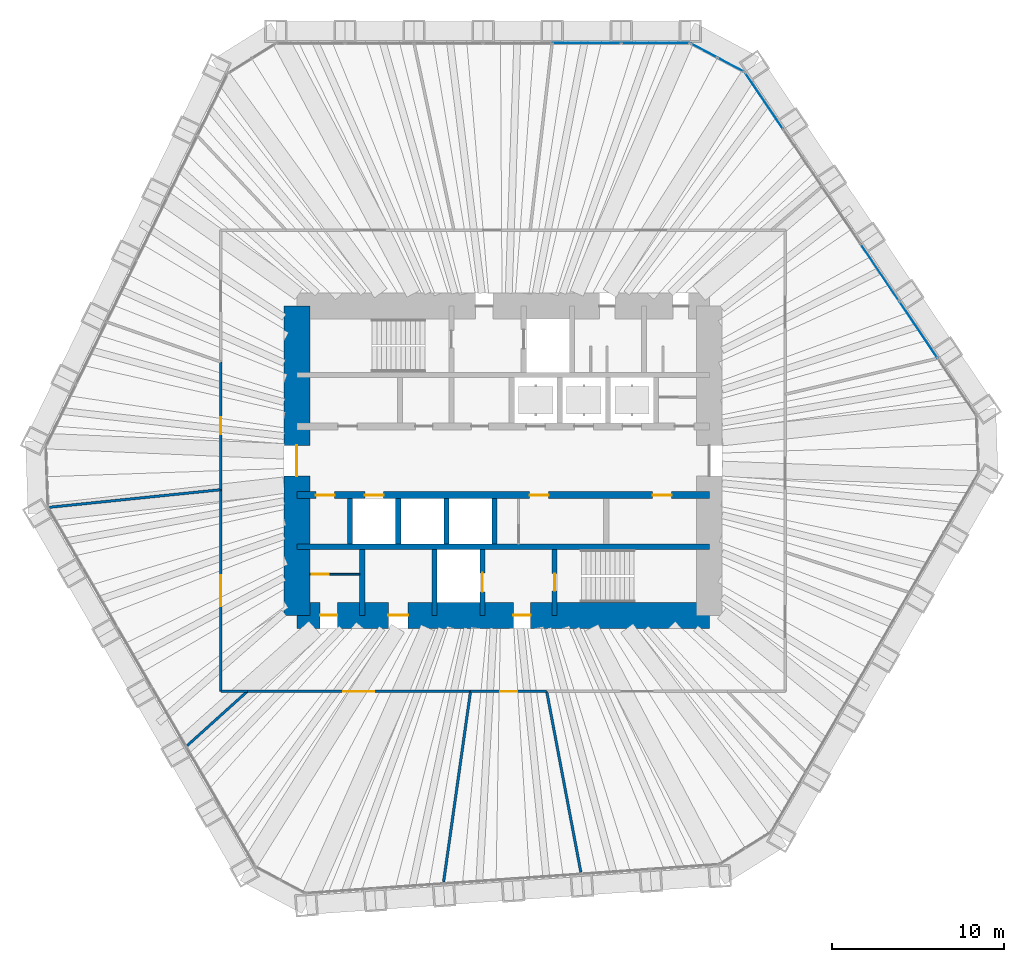
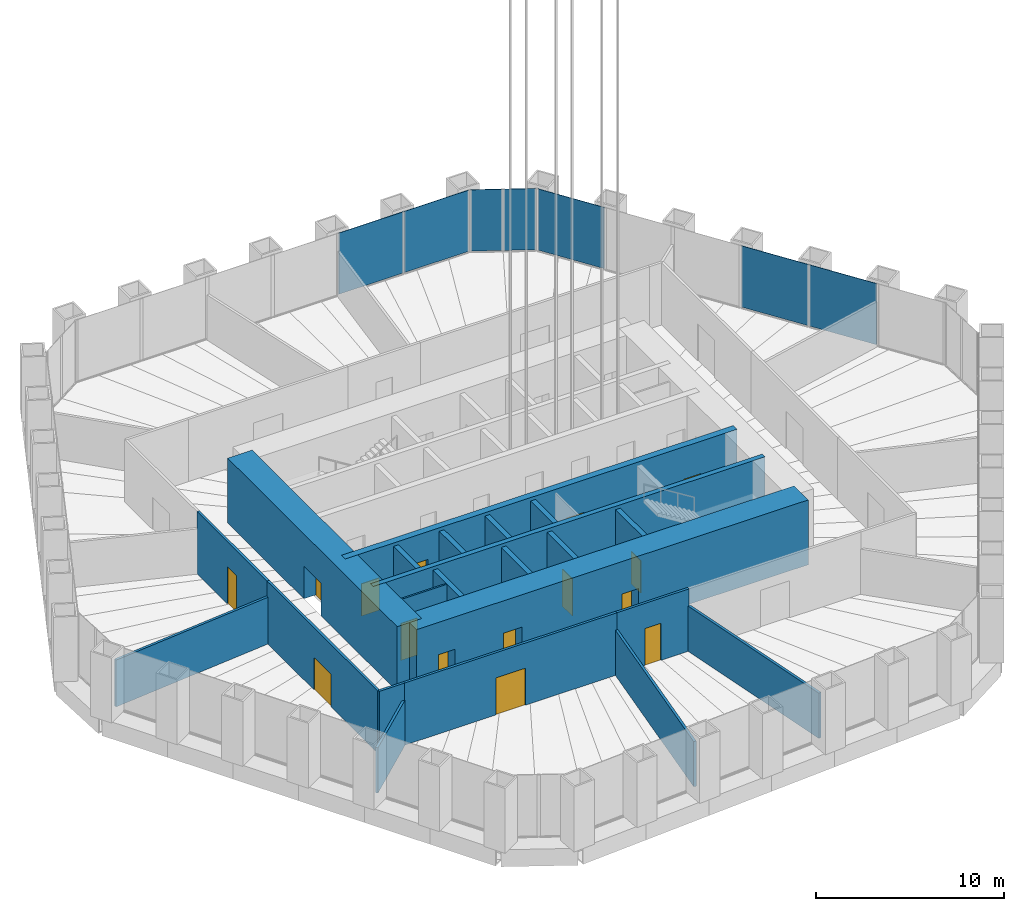
# One storey, part 10 of 20: 22 walls, 15 doors, 7 plates, 15 openings, 3 elements without a shape of their own.
"""IFC4 building model written with IfcOpenShell, lengths in metres."""

from ifc_helpers import new_model, si_unit, direction, frame, frame_2d, origin, origin_2d, place, context, subcontext, project, spatial, rectangle, extrude, material, layer, layer_set, type_object, element, fill, aggregate, save


model = new_model("IFC4")

# Units and contexts
model_context = context("Model", 3, precision=1e-05, world=origin(), true_north=direction((0.0, 1.0)))
body_context = subcontext(model_context, "Body", "Model", "MODEL_VIEW")
ifc_project = project(units=[si_unit("LENGTHUNIT", "METRE"), si_unit("AREAUNIT", "SQUARE_METRE"), si_unit("VOLUMEUNIT", "CUBIC_METRE"), si_unit("PLANEANGLEUNIT", "RADIAN"), si_unit("MASSUNIT", "GRAM", prefix="KILO")], contexts=[model_context])

# Site, building, storey
site_placement = place(None, origin())
site = spatial("IfcSite", under=ifc_project, at=site_placement, CompositionType="ELEMENT")
building_placement = place(site_placement, origin())
building = spatial("IfcBuilding", under=site, at=building_placement, Name="Qingtian Harvest Tower", CompositionType="ELEMENT")
storey_placement = place(building_placement, frame((0.0, 0.0, 103.0)))
storey = spatial("IfcBuildingStorey", under=building, at=storey_placement, Name="L20", CompositionType="ELEMENT", Elevation=103.0)

# Curtain wall, plates
ifc_material_1 = material(Name="Bronze-anodised aluminium curtain wall", Category="aluminium")
curtain_wall_type = type_object("IfcCurtainWallType", Name="Curtain wall CW3 sky lobby", PredefinedType="USERDEFINED", material=ifc_material_1)
curtain_wall_1_placement = place(storey_placement, origin())
curtain_wall_1 = element("IfcCurtainWall", 1, at=curtain_wall_1_placement, inside=storey, type_object=curtain_wall_type, Name="Curtain wall CW3 L20 N0-5", ObjectType="RECESSED CURTAIN WALL", PredefinedType="USERDEFINED")
ifc_material_2 = material(Name="Bronze-tinted laminated insulating glass", Category="glass")
ifc_layer_1 = layer(ifc_material_2, 0.030029296875)
ifc_layer_set_1 = layer_set([ifc_layer_1], Name="Glazed panel CWP tinted IGU")
plate_type = type_object("IfcPlateType", Name="Glazed panel CWP tinted IGU", PredefinedType="CURTAIN_PANEL", material=ifc_layer_set_1)
plate_1_placement = place(storey_placement, frame((4.864013671875, 24.300048828125, 0.06494140625), z_axis=(0.0, 0.0, 1.0), x_axis=(1.0, 0.0, 0.0)))
plate_1 = element("IfcPlate", 2, at=plate_1_placement, type_object=plate_type, Name="CW3 panel 5.1", PredefinedType="CURTAIN_PANEL", context=body_context, shape_type="SweptSolid", body=[
    extrude(rectangle(XDim=3.9541015625, YDim=0.030029296875, at=origin_2d()), origin(), (0.0, 0.0, 1.0), 3.965087890625),
])
plate_2_placement = place(storey_placement, frame((8.866943359375, 24.300048828125, 0.06494140625), z_axis=(0.0, 0.0, 1.0), x_axis=(1.0, 0.0, 0.0)))
plate_2 = element("IfcPlate", 3, at=plate_2_placement, type_object=plate_type, Name="CW3 panel 6.1", PredefinedType="CURTAIN_PANEL", context=body_context, shape_type="SweptSolid", body=[
    extrude(rectangle(XDim=3.921630859375, YDim=0.030029296875, at=origin_2d()), origin(), (0.0, 0.0, 1.0), 3.965087890625),
])
aggregate(curtain_wall_1, [plate_1, plate_2])

curtain_wall_2_placement = place(storey_placement, origin())
curtain_wall_2 = element("IfcCurtainWall", 4, at=curtain_wall_2_placement, inside=storey, type_object=curtain_wall_type, Name="Curtain wall CW3 L20 NC", ObjectType="RECESSED CURTAIN WALL", PredefinedType="USERDEFINED")
plate_3_placement = place(storey_placement, frame((11.697509765625, 23.8720703125, 0.06494140625), z_axis=(0.0, 0.0, 1.0), x_axis=(0.882947592859, -0.469471562786, 0.0)))
plate_3 = element("IfcPlate", 5, at=plate_3_placement, type_object=plate_type, Name="CW3 panel 1.1", PredefinedType="CURTAIN_PANEL", context=body_context, shape_type="SweptSolid", body=[
    extrude(rectangle(XDim=1.69287109375, YDim=0.030029296875, at=origin_2d()), origin(), (0.0, 0.0, 1.0), 3.965087890625),
])
plate_4_placement = place(storey_placement, frame((13.249755859375, 23.046875, 0.06494140625), z_axis=(0.0, 0.0, 1.0), x_axis=(0.882947592859, -0.469471562786, 0.0)))
plate_4 = element("IfcPlate", 6, at=plate_4_placement, type_object=plate_type, Name="CW3 panel 2.1", PredefinedType="CURTAIN_PANEL", context=body_context, shape_type="SweptSolid", body=[
    extrude(rectangle(XDim=1.69287109375, YDim=0.030029296875, at=origin_2d()), origin(), (0.0, 0.0, 1.0), 3.965087890625),
])
aggregate(curtain_wall_2, [plate_3, plate_4])

curtain_wall_3_placement = place(storey_placement, origin())
curtain_wall_3 = element("IfcCurtainWall", 7, at=curtain_wall_3_placement, inside=storey, type_object=curtain_wall_type, Name="Curtain wall CW3 L20 NE0-5", ObjectType="RECESSED CURTAIN WALL", PredefinedType="USERDEFINED")
plate_5_placement = place(storey_placement, frame((15.187255859375, 20.939453125, 0.06494140625), z_axis=(0.0, 0.0, 1.0), x_axis=(0.559192903471, -0.829037572555, 0.0)))
plate_5 = element("IfcPlate", 8, at=plate_5_placement, type_object=plate_type, Name="CW3 panel 1.1", PredefinedType="CURTAIN_PANEL", context=body_context, shape_type="SweptSolid", body=[
    extrude(rectangle(XDim=3.921630859375, YDim=0.030029296875, at=origin_2d()), origin(), (0.0, 0.0, 1.0), 3.965087890625),
])
plate_6_placement = place(storey_placement, frame((21.92041015625, 10.95703125, 0.06494140625), z_axis=(0.0, 0.0, 1.0), x_axis=(0.559192903471, -0.829037572555, 0.0)))
plate_6 = element("IfcPlate", 9, at=plate_6_placement, type_object=plate_type, Name="CW3 panel 4.1", PredefinedType="CURTAIN_PANEL", context=body_context, shape_type="SweptSolid", body=[
    extrude(rectangle(XDim=3.9541015625, YDim=0.030029296875, at=origin_2d()), origin(), (0.0, 0.0, 1.0), 3.965087890625),
])
plate_7_placement = place(storey_placement, frame((24.16796875, 7.625, 0.06494140625), z_axis=(0.0, 0.0, 1.0), x_axis=(0.559192903471, -0.829037572555, 0.0)))
plate_7 = element("IfcPlate", 10, at=plate_7_placement, type_object=plate_type, Name="CW3 panel 5.1", PredefinedType="CURTAIN_PANEL", context=body_context, shape_type="SweptSolid", body=[
    extrude(rectangle(XDim=3.9541015625, YDim=0.030029296875, at=origin_2d()), origin(), (0.0, 0.0, 1.0), 3.965087890625),
])
aggregate(curtain_wall_3, [plate_5, plate_6, plate_7])

# Wall
ifc_material_3 = material(Name="Concrete fc' 70 MPa", Category="concrete")
ifc_layer_2 = layer(ifc_material_3, 0.300048828125)
ifc_layer_set_2 = layer_set([ifc_layer_2], Name="Core inner wall RC5 300")
wall_type_1 = type_object("IfcWallType", Name="Core inner wall RC5 300", PredefinedType="SHEAR", material=ifc_layer_set_2)
wall_1_placement = place(storey_placement, frame((-12.0, -5.0, 0.0), z_axis=(0.0, 0.0, 1.0), x_axis=(1.0, 0.0, 0.0)))
element("IfcWall", 11, at=wall_1_placement, inside=storey, type_object=wall_type_1, Name="Core wall IS5 L20", PredefinedType="SHEAR", context=body_context, shape_type="SweptSolid", body=[
    extrude(rectangle(XDim=24.0, YDim=0.300048828125, at=frame_2d((12.0, 0.0))), origin(), (0.0, 0.0, 1.0), 4.199951171875),
])

# Wall, openings, doors
ifc_material_4 = material(Name="Concrete fc' 70 MPa", Category="concrete")
ifc_layer_3 = layer(ifc_material_4, 0.39990234375)
ifc_layer_set_3 = layer_set([ifc_layer_3], Name="Core inner web RC6 400")
wall_type_2 = type_object("IfcWallType", Name="Core inner web RC6 400", PredefinedType="SHEAR", material=ifc_layer_set_3)
wall_2_placement = place(storey_placement, frame((-12.0, -2.0, 0.0), z_axis=(0.0, 0.0, 1.0), x_axis=(1.0, 0.0, 0.0)))
wall_2 = element("IfcWall", 12, at=wall_2_placement, inside=storey, type_object=wall_type_2, Name="Core wall IS2 L20", PredefinedType="SHEAR", context=body_context, shape_type="SweptSolid", body=[
    extrude(rectangle(XDim=24.0, YDim=0.39990234375, at=frame_2d((12.0, 0.0))), origin(), (0.0, 0.0, 1.0), 4.199951171875),
])
opening_1_placement = place(wall_2_placement, frame((1.10009765625, 0.0, 0.0)))
opening_1 = element("IfcOpeningElement", 13, at=opening_1_placement, cuts=wall_2, Name="Opening FD4", PredefinedType="OPENING", context=body_context, shape_type="SweptSolid", body=[
    extrude(rectangle(XDim=1.10009765625, YDim=2.10009765625, at=frame_2d((0.550048828125, 1.050048828125))), frame((0.0, 0.2099609375, 0.0), z_axis=(0.0, -1.0, 0.0), x_axis=(1.0, 0.0, 0.0)), (0.0, 0.0, 1.0), 0.419921875),
])
opening_2_placement = place(wall_2_placement, frame((13.550048828125, 0.0, 0.0)))
opening_2 = element("IfcOpeningElement", 14, at=opening_2_placement, cuts=wall_2, Name="Opening FD4", PredefinedType="OPENING", context=body_context, shape_type="SweptSolid", body=[
    extrude(rectangle(XDim=1.10009765625, YDim=2.10009765625, at=frame_2d((0.550048828125, 1.050048828125))), frame((0.0, 0.2099609375, 0.0), z_axis=(0.0, -1.0, 0.0), x_axis=(1.0, 0.0, 0.0)), (0.0, 0.0, 1.0), 0.419921875),
])
opening_3_placement = place(wall_2_placement, frame((20.699951171875, 0.0, 0.0)))
opening_3 = element("IfcOpeningElement", 15, at=opening_3_placement, cuts=wall_2, Name="Opening FD4", PredefinedType="OPENING", context=body_context, shape_type="SweptSolid", body=[
    extrude(rectangle(XDim=1.10009765625, YDim=2.10009765625, at=frame_2d((0.550048828125, 1.050048828125))), frame((0.0, 0.2099609375, 0.0), z_axis=(0.0, -1.0, 0.0), x_axis=(1.0, 0.0, 0.0)), (0.0, 0.0, 1.0), 0.419921875),
])
opening_4_placement = place(wall_2_placement, frame((3.949951171875, 0.0, 0.0)))
opening_4 = element("IfcOpeningElement", 16, at=opening_4_placement, cuts=wall_2, Name="Opening LD1", PredefinedType="OPENING", context=body_context, shape_type="SweptSolid", body=[
    extrude(rectangle(XDim=1.10009765625, YDim=2.39990234375, at=frame_2d((0.550048828125, 1.199951171875))), frame((0.0, 0.2099609375, 0.0), z_axis=(0.0, -1.0, 0.0), x_axis=(1.0, 0.0, 0.0)), (0.0, 0.0, 1.0), 0.419921875),
])
ifc_material_5 = material(Name="Steel-faced door leaf", Category="steel")
door_type_1 = type_object("IfcDoorType", Name="Fire door FD4 single 2 HR", OperationType="SINGLE_SWING_LEFT", PredefinedType="DOOR", material=ifc_material_5)
door_1_placement = place(opening_1_placement, origin())
door_1 = element("IfcDoor", 17, at=door_1_placement, inside=storey, type_object=door_type_1, Name="RB door L20", OperationType="SINGLE_SWING_LEFT", OverallHeight=2.10009765625, OverallWidth=1.10009765625, PredefinedType="DOOR", context=body_context, shape_type="SweptSolid", body=[
    extrude(rectangle(XDim=1.10009765625, YDim=2.10009765625, at=frame_2d((0.550048828125, 1.050048828125))), frame((0.0, 0.02490234375, 0.0), z_axis=(0.0, -1.0, 0.0), x_axis=(1.0, 0.0, 0.0)), (0.0, 0.0, 1.0), 0.050048828125),
])
fill(opening_1, door_1)
door_2_placement = place(opening_2_placement, origin())
door_2 = element("IfcDoor", 18, at=door_2_placement, inside=storey, type_object=door_type_1, Name="ELEC door L20", OperationType="SINGLE_SWING_RIGHT", OverallHeight=2.10009765625, OverallWidth=1.10009765625, PredefinedType="DOOR", context=body_context, shape_type="SweptSolid", body=[
    extrude(rectangle(XDim=1.10009765625, YDim=2.10009765625, at=frame_2d((0.550048828125, 1.050048828125))), frame((0.0, 0.02490234375, 0.0), z_axis=(0.0, -1.0, 0.0), x_axis=(1.0, 0.0, 0.0)), (0.0, 0.0, 1.0), 0.050048828125),
])
fill(opening_2, door_2)
door_3_placement = place(opening_3_placement, origin())
door_3 = element("IfcDoor", 19, at=door_3_placement, inside=storey, type_object=door_type_1, Name="DUCT door L20", OperationType="SINGLE_SWING_LEFT", OverallHeight=2.10009765625, OverallWidth=1.10009765625, PredefinedType="DOOR", context=body_context, shape_type="SweptSolid", body=[
    extrude(rectangle(XDim=1.10009765625, YDim=2.10009765625, at=frame_2d((0.550048828125, 1.050048828125))), frame((0.0, 0.02490234375, 0.0), z_axis=(0.0, -1.0, 0.0), x_axis=(1.0, 0.0, 0.0)), (0.0, 0.0, 1.0), 0.050048828125),
])
fill(opening_3, door_3)
ifc_material_6 = material(Name="Stainless steel lift landing door", Category="steel")
door_type_2 = type_object("IfcDoorType", Name="Lift landing door LD1 1 HR", OperationType="DOUBLE_DOOR_SLIDING", PredefinedType="DOOR", material=ifc_material_6)
door_4_placement = place(opening_4_placement, origin())
door_4 = element("IfcDoor", 20, at=door_4_placement, inside=storey, type_object=door_type_2, Name="SH1 landing door L20", OperationType="DOUBLE_DOOR_SLIDING", OverallHeight=2.39990234375, OverallWidth=1.10009765625, PredefinedType="DOOR", context=body_context, shape_type="SweptSolid", body=[
    extrude(rectangle(XDim=1.10009765625, YDim=2.39990234375, at=frame_2d((0.550048828125, 1.199951171875))), frame((0.0, 0.02490234375, 0.0), z_axis=(0.0, -1.0, 0.0), x_axis=(1.0, 0.0, 0.0)), (0.0, 0.0, 1.0), 0.050048828125),
])
fill(opening_4, door_4)

# Walls
ifc_material_7 = material(Name="Precast concrete shaft panel", Category="concrete")
ifc_layer_4 = layer(ifc_material_7, 0.300048828125)
ifc_layer_set_4 = layer_set([ifc_layer_4], Name="Core shaft partition SW1 300")
wall_type_3 = type_object("IfcWallType", Name="Core shaft partition SW1 300", PredefinedType="PARTITIONING", material=ifc_layer_set_4)
for number, where, z_axis, x_axis, name in (
    (21, (-8.89990234375, -4.85009765625, 0.0), (0.0, 0.0, 1.0), (0.0, 1.0, 0.0), "Core shaft partition XB1 L20"),
    (22, (-6.10009765625, -4.85009765625, 0.0), (0.0, 0.0, 1.0), (0.0, 1.0, 0.0), "Core shaft partition XB2 L20"),
    (23, (-3.300048828125, -4.85009765625, 0.0), (0.0, 0.0, 1.0), (0.0, 1.0, 0.0), "Core shaft partition XB3 L20"),
    (24, (-0.5, -4.85009765625, 0.0), (0.0, 0.0, 1.0), (0.0, 1.0, 0.0), "Core shaft partition XB4 L20"),
):
    element("IfcWall", number, at=place(storey_placement, frame(where, z_axis=z_axis, x_axis=x_axis)), inside=storey, type_object=wall_type_3, Name=name, PredefinedType="PARTITIONING", context=body_context, shape_type="SweptSolid", body=[
        extrude(rectangle(XDim=2.650146484375, YDim=0.300048828125, at=frame_2d((1.3251953125, 0.0))), origin(), (0.0, 0.0, 1.0), 3.97998046875),
    ])
for number, where, z_axis, x_axis, name in (
    (25, (-8.199951171875, -9.0, 0.0), (0.0, 0.0, 1.0), (0.0, 1.0, 0.0), "Core shaft partition XS1 L20"),
    (26, (-4.0, -9.0, 0.0), (0.0, 0.0, 1.0), (0.0, 1.0, 0.0), "Core shaft partition XS2 L20"),
):
    element("IfcWall", number, at=place(storey_placement, frame(where, z_axis=z_axis, x_axis=x_axis)), inside=storey, type_object=wall_type_3, Name=name, PredefinedType="PARTITIONING", context=body_context, shape_type="SweptSolid", body=[
        extrude(rectangle(XDim=3.85009765625, YDim=0.300048828125, at=frame_2d((1.925048828125, 0.0))), origin(), (0.0, 0.0, 1.0), 3.97998046875),
    ])

# Wall, opening, door
wall_3_placement = place(storey_placement, frame((-1.199951171875, -9.0, 0.0), z_axis=(0.0, 0.0, 1.0), x_axis=(0.0, 1.0, 0.0)))
wall_3 = element("IfcWall", 27, at=wall_3_placement, inside=storey, type_object=wall_type_3, Name="Core shaft partition XS3 L20", PredefinedType="PARTITIONING", context=body_context, shape_type="SweptSolid", body=[
    extrude(rectangle(XDim=3.85009765625, YDim=0.300048828125, at=frame_2d((1.925048828125, 0.0))), origin(), (0.0, 0.0, 1.0), 3.97998046875),
])
opening_5_placement = place(wall_3_placement, frame((1.375, 0.0, 0.0)))
opening_5 = element("IfcOpeningElement", 28, at=opening_5_placement, cuts=wall_3, Name="Opening LD1", PredefinedType="OPENING", context=body_context, shape_type="SweptSolid", body=[
    extrude(rectangle(XDim=1.10009765625, YDim=2.39990234375, at=frame_2d((0.550048828125, 1.199951171875))), frame((0.0, 0.159912109375, 0.0), z_axis=(0.0, -1.0, 0.0), x_axis=(1.0, 0.0, 0.0)), (0.0, 0.0, 1.0), 0.320068359375),
])
door_5_placement = place(opening_5_placement, origin())
door_5 = element("IfcDoor", 29, at=door_5_placement, inside=storey, type_object=door_type_2, Name="FL2 landing door L20", OperationType="DOUBLE_DOOR_SLIDING", OverallHeight=2.39990234375, OverallWidth=1.10009765625, PredefinedType="DOOR", context=body_context, shape_type="SweptSolid", body=[
    extrude(rectangle(XDim=1.10009765625, YDim=2.39990234375, at=frame_2d((0.550048828125, 1.199951171875))), frame((0.0, 0.02490234375, 0.0), z_axis=(0.0, -1.0, 0.0), x_axis=(1.0, 0.0, 0.0)), (0.0, 0.0, 1.0), 0.050048828125),
])
fill(opening_5, door_5)

wall_4_placement = place(storey_placement, frame((3.0, -9.0, 0.0), z_axis=(0.0, 0.0, 1.0), x_axis=(0.0, 1.0, 0.0)))
wall_4 = element("IfcWall", 30, at=wall_4_placement, inside=storey, type_object=wall_type_3, Name="Core shaft partition XS4 L20", PredefinedType="PARTITIONING", context=body_context, shape_type="SweptSolid", body=[
    extrude(rectangle(XDim=3.85009765625, YDim=0.300048828125, at=frame_2d((1.925048828125, 0.0))), origin(), (0.0, 0.0, 1.0), 3.97998046875),
])
opening_6_placement = place(wall_4_placement, frame((1.425048828125, 0.0, 0.0)))
opening_6 = element("IfcOpeningElement", 31, at=opening_6_placement, cuts=wall_4, Name="Opening FD1", PredefinedType="OPENING", context=body_context, shape_type="SweptSolid", body=[
    extrude(rectangle(XDim=1.0, YDim=2.10009765625, at=frame_2d((0.5, 1.050048828125))), frame((0.0, 0.159912109375, 0.0), z_axis=(0.0, -1.0, 0.0), x_axis=(1.0, 0.0, 0.0)), (0.0, 0.0, 1.0), 0.320068359375),
])
ifc_material_8 = material(Name="Steel-faced door leaf", Category="steel")
door_type_3 = type_object("IfcDoorType", Name="Fire door FD1 single 1 HR", OperationType="SINGLE_SWING_LEFT", PredefinedType="DOOR", material=ifc_material_8)
door_6_placement = place(opening_6_placement, origin())
door_6 = element("IfcDoor", 32, at=door_6_placement, inside=storey, type_object=door_type_3, Name="S2 door L20", OperationType="SINGLE_SWING_LEFT", OverallHeight=2.10009765625, OverallWidth=1.0, PredefinedType="DOOR", context=body_context, shape_type="SweptSolid", body=[
    extrude(rectangle(XDim=1.0, YDim=2.10009765625, at=frame_2d((0.5, 1.050048828125))), frame((0.0, 0.02490234375, 0.0), z_axis=(0.0, -1.0, 0.0), x_axis=(1.0, 0.0, 0.0)), (0.0, 0.0, 1.0), 0.050048828125),
])
fill(opening_6, door_6)

# Wall, openings, doors
ifc_material_9 = material(Name="Concrete fc' 70 MPa", Category="concrete")
ifc_layer_5 = layer(ifc_material_9, 1.5)
ifc_layer_set_5 = layer_set([ifc_layer_5], Name="Core wall RC1 1500")
wall_type_4 = type_object("IfcWallType", Name="Core wall RC1 1500", PredefinedType="SHEAR", material=ifc_layer_set_5)
wall_5_placement = place(storey_placement, frame((-12.0, -9.0, 0.0), z_axis=(0.0, 0.0, 1.0), x_axis=(1.0, 0.0, 0.0)))
wall_5 = element("IfcWall", 33, at=wall_5_placement, inside=storey, type_object=wall_type_4, Name="Core wall CS L20", PredefinedType="SHEAR", context=body_context, shape_type="SweptSolid", body=[
    extrude(rectangle(XDim=24.0, YDim=1.5, at=frame_2d((12.0, 0.0))), origin(), (0.0, 0.0, 1.0), 4.199951171875),
])
opening_7_placement = place(wall_5_placement, frame((1.35009765625, 0.0, 0.0)))
opening_7 = element("IfcOpeningElement", 34, at=opening_7_placement, cuts=wall_5, Name="Opening FD1", PredefinedType="OPENING", context=body_context, shape_type="SweptSolid", body=[
    extrude(rectangle(XDim=1.0, YDim=2.10009765625, at=frame_2d((0.5, 1.050048828125))), frame((0.0, 0.760009765625, 0.0), z_axis=(0.0, -1.0, 0.0), x_axis=(1.0, 0.0, 0.0)), (0.0, 0.0, 1.0), 1.52001953125),
])
opening_8_placement = place(wall_5_placement, frame((5.324951171875, 0.0, 0.0)))
opening_8 = element("IfcOpeningElement", 35, at=opening_8_placement, cuts=wall_5, Name="Opening AD1", PredefinedType="OPENING", context=body_context, shape_type="SweptSolid", body=[
    extrude(rectangle(XDim=1.14990234375, YDim=2.10009765625, at=frame_2d((0.574951171875, 1.050048828125))), frame((0.0, 0.760009765625, 0.0), z_axis=(0.0, -1.0, 0.0), x_axis=(1.0, 0.0, 0.0)), (0.0, 0.0, 1.0), 1.52001953125),
])
opening_9_placement = place(wall_5_placement, frame((12.60009765625, 0.0, 0.0)))
opening_9 = element("IfcOpeningElement", 36, at=opening_9_placement, cuts=wall_5, Name="Opening FD1", PredefinedType="OPENING", context=body_context, shape_type="SweptSolid", body=[
    extrude(rectangle(XDim=1.0, YDim=2.10009765625, at=frame_2d((0.5, 1.050048828125))), frame((0.0, 0.760009765625, 0.0), z_axis=(0.0, -1.0, 0.0), x_axis=(1.0, 0.0, 0.0)), (0.0, 0.0, 1.0), 1.52001953125),
])
ifc_material_10 = material(Name="Laminated timber door leaf", Category="wood")
door_type_4 = type_object("IfcDoorType", Name="Accessible WC door AD1 single", OperationType="SINGLE_SWING_LEFT", PredefinedType="DOOR", material=ifc_material_10)
door_7_placement = place(opening_8_placement, origin())
door_7 = element("IfcDoor", 37, at=door_7_placement, inside=storey, type_object=door_type_4, Name="AWC door L20", OperationType="SINGLE_SWING_LEFT", OverallHeight=2.10009765625, OverallWidth=1.14990234375, PredefinedType="DOOR", context=body_context, shape_type="SweptSolid", body=[
    extrude(rectangle(XDim=1.14990234375, YDim=2.10009765625, at=frame_2d((0.574951171875, 1.050048828125))), frame((0.0, 0.02490234375, 0.0), z_axis=(0.0, -1.0, 0.0), x_axis=(1.0, 0.0, 0.0)), (0.0, 0.0, 1.0), 0.050048828125),
])
fill(opening_8, door_7)
door_8_placement = place(opening_7_placement, origin())
door_8 = element("IfcDoor", 38, at=door_8_placement, inside=storey, type_object=door_type_3, Name="CLN door L20", OperationType="SINGLE_SWING_RIGHT", OverallHeight=2.10009765625, OverallWidth=1.0, PredefinedType="DOOR", context=body_context, shape_type="SweptSolid", body=[
    extrude(rectangle(XDim=1.0, YDim=2.10009765625, at=frame_2d((0.5, 1.050048828125))), frame((0.0, 0.02490234375, 0.0), z_axis=(0.0, -1.0, 0.0), x_axis=(1.0, 0.0, 0.0)), (0.0, 0.0, 1.0), 0.050048828125),
])
fill(opening_7, door_8)
door_9_placement = place(opening_9_placement, origin())
door_9 = element("IfcDoor", 39, at=door_9_placement, inside=storey, type_object=door_type_3, Name="V2 door L20", OperationType="SINGLE_SWING_RIGHT", OverallHeight=2.10009765625, OverallWidth=1.0, PredefinedType="DOOR", context=body_context, shape_type="SweptSolid", body=[
    extrude(rectangle(XDim=1.0, YDim=2.10009765625, at=frame_2d((0.5, 1.050048828125))), frame((0.0, 0.02490234375, 0.0), z_axis=(0.0, -1.0, 0.0), x_axis=(1.0, 0.0, 0.0)), (0.0, 0.0, 1.0), 0.050048828125),
])
fill(opening_9, door_9)

# Wall, opening, door
wall_6_placement = place(storey_placement, frame((-12.0, -9.0, 0.0), z_axis=(0.0, 0.0, 1.0), x_axis=(0.0, 1.0, 0.0)))
wall_6 = element("IfcWall", 40, at=wall_6_placement, inside=storey, type_object=wall_type_4, Name="Core wall CW L20", PredefinedType="SHEAR", context=body_context, shape_type="SweptSolid", body=[
    extrude(rectangle(XDim=18.0, YDim=1.5, at=frame_2d((9.0, 0.0))), origin(), (0.0, 0.0, 1.0), 4.199951171875),
])
opening_10_placement = place(wall_6_placement, frame((8.10009765625, 0.0, 0.0)))
opening_10 = element("IfcOpeningElement", 41, at=opening_10_placement, cuts=wall_6, Name="Opening FD2", PredefinedType="OPENING", context=body_context, shape_type="SweptSolid", body=[
    extrude(rectangle(XDim=1.800048828125, YDim=2.10009765625, at=frame_2d((0.89990234375, 1.050048828125))), frame((0.0, 0.760009765625, 0.0), z_axis=(0.0, -1.0, 0.0), x_axis=(1.0, 0.0, 0.0)), (0.0, 0.0, 1.0), 1.52001953125),
])
ifc_material_11 = material(Name="Steel-faced door leaf", Category="steel")
door_type_5 = type_object("IfcDoorType", Name="Fire door FD2 double 1 HR", OperationType="DOUBLE_DOOR_DOUBLE_SWING", PredefinedType="DOOR", material=ifc_material_11)
door_10_placement = place(opening_10_placement, origin())
door_10 = element("IfcDoor", 42, at=door_10_placement, inside=storey, type_object=door_type_5, Name="LOBBY-W door L20", OperationType="DOUBLE_DOOR_DOUBLE_SWING", OverallHeight=2.10009765625, OverallWidth=1.800048828125, PredefinedType="DOOR", context=body_context, shape_type="SweptSolid", body=[
    extrude(rectangle(XDim=1.800048828125, YDim=2.10009765625, at=frame_2d((0.89990234375, 1.050048828125))), frame((0.0, 0.02490234375, 0.0), z_axis=(0.0, -1.0, 0.0), x_axis=(1.0, 0.0, 0.0)), (0.0, 0.0, 1.0), 0.050048828125),
])
fill(opening_10, door_10)

# Walls
ifc_material_12 = material(Name="Fire-rated gypsum board on steel studs", Category="steel")
ifc_layer_6 = layer(ifc_material_12, 0.14990234375)
ifc_layer_set_6 = layer_set([ifc_layer_6], Name="Fire partition FW3 150 1 HR")
wall_type_5 = type_object("IfcWallType", Name="Fire partition FW3 150 1 HR", PredefinedType="PARTITIONING", material=ifc_layer_set_6)
wall_7_placement = place(storey_placement, frame((-18.37841796875, -16.572021484375, 0.0), z_axis=(0.0, 0.0, 1.0), x_axis=(0.742684208647, 0.669641819353, 0.0)))
element("IfcWall", 43, at=wall_7_placement, inside=storey, type_object=wall_type_5, Name="Sky lobby lounge wall L20", PredefinedType="PARTITIONING", context=body_context, shape_type="SweptSolid", body=[
    extrude(rectangle(XDim=4.699462890625, YDim=0.14990234375, at=frame_2d((2.349609375, 0.0))), origin(), (0.0, 0.0, 1.0), 2.929931640625),
])
wall_8_placement = place(storey_placement, frame((-14.88818359375, -13.425048828125, 0.0), z_axis=(0.0, 0.0, 1.0), x_axis=(-1.0, 0.0, 0.0)))
element("IfcWall", 44, at=wall_8_placement, inside=storey, type_object=wall_type_5, Name="Sky lobby lounge wall L20", PredefinedType="PARTITIONING", context=body_context, shape_type="SweptSolid", body=[
    extrude(rectangle(XDim=1.536865234375, YDim=0.14990234375, at=frame_2d((0.7685546875, 0.0))), origin(), (0.0, 0.0, 1.0), 4.030029296875),
])

# Wall, opening, door
wall_9_placement = place(storey_placement, frame((-16.425048828125, -13.425048828125, 0.0), z_axis=(0.0, 0.0, 1.0), x_axis=(0.0, 1.0, 0.0)))
wall_9 = element("IfcWall", 45, at=wall_9_placement, inside=storey, type_object=wall_type_5, Name="Sky lobby lounge wall L20", PredefinedType="PARTITIONING", context=body_context, shape_type="SweptSolid", body=[
    extrude(rectangle(XDim=11.74072265625, YDim=0.14990234375, at=frame_2d((5.870361328125, 0.0))), origin(), (0.0, 0.0, 1.0), 4.030029296875),
])
opening_11_placement = place(wall_9_placement, frame((4.97021484375, 0.0, 0.0)))
opening_11 = element("IfcOpeningElement", 46, at=opening_11_placement, cuts=wall_9, Name="Opening FD2", PredefinedType="OPENING", context=body_context, shape_type="SweptSolid", body=[
    extrude(rectangle(XDim=1.800048828125, YDim=2.10009765625, at=frame_2d((0.89990234375, 1.050048828125))), frame((0.0, 0.0849609375, 0.0), z_axis=(0.0, -1.0, 0.0), x_axis=(1.0, 0.0, 0.0)), (0.0, 0.0, 1.0), 0.169921875),
])
door_11_placement = place(opening_11_placement, origin())
door_11 = element("IfcDoor", 47, at=door_11_placement, inside=storey, type_object=door_type_5, Name="Sky lobby lounge door L20", OperationType="DOUBLE_DOOR_DOUBLE_SWING", OverallHeight=2.10009765625, OverallWidth=1.800048828125, PredefinedType="DOOR", context=body_context, shape_type="SweptSolid", body=[
    extrude(rectangle(XDim=1.800048828125, YDim=2.10009765625, at=frame_2d((0.89990234375, 1.050048828125))), frame((0.0, 0.02490234375, 0.0), z_axis=(0.0, -1.0, 0.0), x_axis=(1.0, 0.0, 0.0)), (0.0, 0.0, 1.0), 0.050048828125),
])
fill(opening_11, door_11)

# Walls
wall_10_placement = place(storey_placement, frame((-26.391357421875, -2.706298828125, 0.0), z_axis=(0.0, 0.0, 1.0), x_axis=(0.99478359464, 0.102007842025, 0.0)))
element("IfcWall", 48, at=wall_10_placement, inside=storey, type_object=wall_type_5, Name="Concierge office wall L20", PredefinedType="PARTITIONING", context=body_context, shape_type="SweptSolid", body=[
    extrude(rectangle(XDim=10.0185546875, YDim=0.14990234375, at=frame_2d((5.00927734375, 0.0))), origin(), (0.0, 0.0, 1.0), 3.030029296875),
])
ifc_material_13 = material(Name="Gypsum board on steel studs", Category="steel")
ifc_layer_7 = layer(ifc_material_13, 0.14990234375)
ifc_layer_set_7 = layer_set([ifc_layer_7], Name="Partition PT1 150")
wall_type_6 = type_object("IfcWallType", Name="Partition PT1 150", PredefinedType="PARTITIONING", material=ifc_layer_set_7)
wall_11_placement = place(storey_placement, frame((4.524169921875, -23.943359375, 0.0), z_axis=(0.0, 0.0, 1.0), x_axis=(-0.185675041542, 0.982611204367, 0.0)))
element("IfcWall", 49, at=wall_11_placement, inside=storey, type_object=wall_type_6, Name="Print room wall L20", PredefinedType="PARTITIONING", context=body_context, shape_type="SweptSolid", body=[
    extrude(rectangle(XDim=10.704345703125, YDim=0.14990234375, at=frame_2d((5.35205078125, 0.0))), origin(), (0.0, 0.0, 1.0), 2.929931640625),
])

# Wall, opening, door
wall_12_placement = place(storey_placement, frame((2.53662109375, -13.425048828125, 0.0), z_axis=(0.0, 0.0, 1.0), x_axis=(-1.0, 0.0, 0.0)))
wall_12 = element("IfcWall", 50, at=wall_12_placement, inside=storey, type_object=wall_type_6, Name="Print room wall L20", PredefinedType="PARTITIONING", context=body_context, shape_type="SweptSolid", body=[
    extrude(rectangle(XDim=4.433349609375, YDim=0.14990234375, at=frame_2d((2.216796875, 0.0))), origin(), (0.0, 0.0, 1.0), 4.030029296875),
])
opening_12_placement = place(wall_12_placement, frame((1.716796875, 0.0, 0.0)))
opening_12 = element("IfcOpeningElement", 51, at=opening_12_placement, cuts=wall_12, Name="Opening D2", PredefinedType="OPENING", context=body_context, shape_type="SweptSolid", body=[
    extrude(rectangle(XDim=1.0, YDim=2.39990234375, at=frame_2d((0.5, 1.199951171875))), frame((0.0, 0.0849609375, 0.0), z_axis=(0.0, -1.0, 0.0), x_axis=(1.0, 0.0, 0.0)), (0.0, 0.0, 1.0), 0.169921875),
])
ifc_material_14 = material(Name="Laminated timber door leaf", Category="wood")
door_type_6 = type_object("IfcDoorType", Name="Room door D2 single", OperationType="SINGLE_SWING_LEFT", PredefinedType="DOOR", material=ifc_material_14)
door_12_placement = place(opening_12_placement, origin())
door_12 = element("IfcDoor", 52, at=door_12_placement, inside=storey, type_object=door_type_6, Name="Print room door L20", OperationType="SINGLE_SWING_RIGHT", OverallHeight=2.39990234375, OverallWidth=1.0, PredefinedType="DOOR", context=body_context, shape_type="SweptSolid", body=[
    extrude(rectangle(XDim=1.0, YDim=2.39990234375, at=frame_2d((0.5, 1.199951171875))), frame((0.0, 0.02490234375, 0.0), z_axis=(0.0, -1.0, 0.0), x_axis=(1.0, 0.0, 0.0)), (0.0, 0.0, 1.0), 0.050048828125),
])
fill(opening_12, door_12)

# Wall
wall_13_placement = place(storey_placement, frame((-3.4619140625, -24.50341796875, 0.0), z_axis=(0.0, 0.0, 1.0), x_axis=(0.139893725594, 0.990166524146, 0.0)))
element("IfcWall", 53, at=wall_13_placement, inside=storey, type_object=wall_type_6, Name="Training room wall L20", PredefinedType="PARTITIONING", context=body_context, shape_type="SweptSolid", body=[
    extrude(rectangle(XDim=11.1884765625, YDim=0.14990234375, at=frame_2d((5.59423828125, 0.0))), origin(), (0.0, 0.0, 1.0), 2.929931640625),
])

# Wall, opening, door
wall_14_placement = place(storey_placement, frame((-1.896728515625, -13.425048828125, 0.0), z_axis=(0.0, 0.0, 1.0), x_axis=(-1.0, 0.0, 0.0)))
wall_14 = element("IfcWall", 54, at=wall_14_placement, inside=storey, type_object=wall_type_6, Name="Training room wall L20", PredefinedType="PARTITIONING", context=body_context, shape_type="SweptSolid", body=[
    extrude(rectangle(XDim=12.991455078125, YDim=0.14990234375, at=frame_2d((6.49560546875, 0.0))), origin(), (0.0, 0.0, 1.0), 4.030029296875),
])
opening_13_placement = place(wall_14_placement, frame((5.595703125, 0.0, 0.0)))
opening_13 = element("IfcOpeningElement", 55, at=opening_13_placement, cuts=wall_14, Name="Opening D3", PredefinedType="OPENING", context=body_context, shape_type="SweptSolid", body=[
    extrude(rectangle(XDim=1.800048828125, YDim=2.39990234375, at=frame_2d((0.89990234375, 1.199951171875))), frame((0.0, 0.0849609375, 0.0), z_axis=(0.0, -1.0, 0.0), x_axis=(1.0, 0.0, 0.0)), (0.0, 0.0, 1.0), 0.169921875),
])
ifc_material_15 = material(Name="Laminated timber door leaf", Category="wood")
door_type_7 = type_object("IfcDoorType", Name="Room door D3 double", OperationType="DOUBLE_DOOR_DOUBLE_SWING", PredefinedType="DOOR", material=ifc_material_15)
door_13_placement = place(opening_13_placement, origin())
door_13 = element("IfcDoor", 56, at=door_13_placement, inside=storey, type_object=door_type_7, Name="Training room door L20", OperationType="DOUBLE_DOOR_DOUBLE_SWING", OverallHeight=2.39990234375, OverallWidth=1.800048828125, PredefinedType="DOOR", context=body_context, shape_type="SweptSolid", body=[
    extrude(rectangle(XDim=1.800048828125, YDim=2.39990234375, at=frame_2d((0.89990234375, 1.199951171875))), frame((0.0, 0.02490234375, 0.0), z_axis=(0.0, -1.0, 0.0), x_axis=(1.0, 0.0, 0.0)), (0.0, 0.0, 1.0), 0.050048828125),
])
fill(opening_13, door_13)

wall_15_placement = place(storey_placement, frame((-16.425048828125, -1.684326171875, 0.0), z_axis=(0.0, 0.0, 1.0), x_axis=(0.0, 1.0, 0.0)))
wall_15 = element("IfcWall", 57, at=wall_15_placement, inside=storey, type_object=wall_type_6, Name="Concierge office wall L20", PredefinedType="PARTITIONING", context=body_context, shape_type="SweptSolid", body=[
    extrude(rectangle(XDim=7.436279296875, YDim=0.14990234375, at=frame_2d((3.71826171875, 0.0))), origin(), (0.0, 0.0, 1.0), 4.030029296875),
])
opening_14_placement = place(wall_15_placement, frame((3.21826171875, 0.0, 0.0)))
opening_14 = element("IfcOpeningElement", 58, at=opening_14_placement, cuts=wall_15, Name="Opening D2", PredefinedType="OPENING", context=body_context, shape_type="SweptSolid", body=[
    extrude(rectangle(XDim=1.0, YDim=2.39990234375, at=frame_2d((0.5, 1.199951171875))), frame((0.0, 0.0849609375, 0.0), z_axis=(0.0, -1.0, 0.0), x_axis=(1.0, 0.0, 0.0)), (0.0, 0.0, 1.0), 0.169921875),
])
door_14_placement = place(opening_14_placement, origin())
door_14 = element("IfcDoor", 59, at=door_14_placement, inside=storey, type_object=door_type_6, Name="Concierge office door L20", OperationType="SINGLE_SWING_LEFT", OverallHeight=2.39990234375, OverallWidth=1.0, PredefinedType="DOOR", context=body_context, shape_type="SweptSolid", body=[
    extrude(rectangle(XDim=1.0, YDim=2.39990234375, at=frame_2d((0.5, 1.199951171875))), frame((0.0, 0.02490234375, 0.0), z_axis=(0.0, -1.0, 0.0), x_axis=(1.0, 0.0, 0.0)), (0.0, 0.0, 1.0), 0.050048828125),
])
fill(opening_14, door_14)

ifc_material_16 = material(Name="Concrete block partition", Category="concrete")
ifc_layer_8 = layer(ifc_material_16, 0.10009765625)
ifc_layer_set_8 = layer_set([ifc_layer_8], Name="Store partition PT3 100")
wall_type_7 = type_object("IfcWallType", Name="Store partition PT3 100", PredefinedType="PARTITIONING", material=ifc_layer_set_8)
wall_16_placement = place(storey_placement, frame((-11.25, -6.60009765625, 0.0), z_axis=(0.0, 0.0, 1.0), x_axis=(1.0, 0.0, 0.0)))
wall_16 = element("IfcWall", 60, at=wall_16_placement, inside=storey, type_object=wall_type_7, Name="Waste store wall L20", PredefinedType="PARTITIONING", context=body_context, shape_type="SweptSolid", body=[
    extrude(rectangle(XDim=2.89990234375, YDim=0.10009765625, at=frame_2d((1.449951171875, 0.0))), origin(), (0.0, 0.0, 1.0), 3.97998046875),
])
opening_15_placement = place(wall_16_placement, frame((0.10009765625, 0.0, 0.0)))
opening_15 = element("IfcOpeningElement", 61, at=opening_15_placement, cuts=wall_16, Name="Opening D2", PredefinedType="OPENING", context=body_context, shape_type="SweptSolid", body=[
    extrude(rectangle(XDim=1.0, YDim=2.39990234375, at=frame_2d((0.5, 1.199951171875))), frame((0.0, 0.06005859375, 0.0), z_axis=(0.0, -1.0, 0.0), x_axis=(1.0, 0.0, 0.0)), (0.0, 0.0, 1.0), 0.1201171875),
])
door_15_placement = place(opening_15_placement, origin())
door_15 = element("IfcDoor", 62, at=door_15_placement, inside=storey, type_object=door_type_6, Name="Waste store door L20", OperationType="SINGLE_SWING_RIGHT", OverallHeight=2.39990234375, OverallWidth=1.0, PredefinedType="DOOR", context=body_context, shape_type="SweptSolid", body=[
    extrude(rectangle(XDim=1.0, YDim=2.39990234375, at=frame_2d((0.5, 1.199951171875))), frame((0.0, 0.02490234375, 0.0), z_axis=(0.0, -1.0, 0.0), x_axis=(1.0, 0.0, 0.0)), (0.0, 0.0, 1.0), 0.050048828125),
])
fill(opening_15, door_15)

save(model, "model.ifc")
